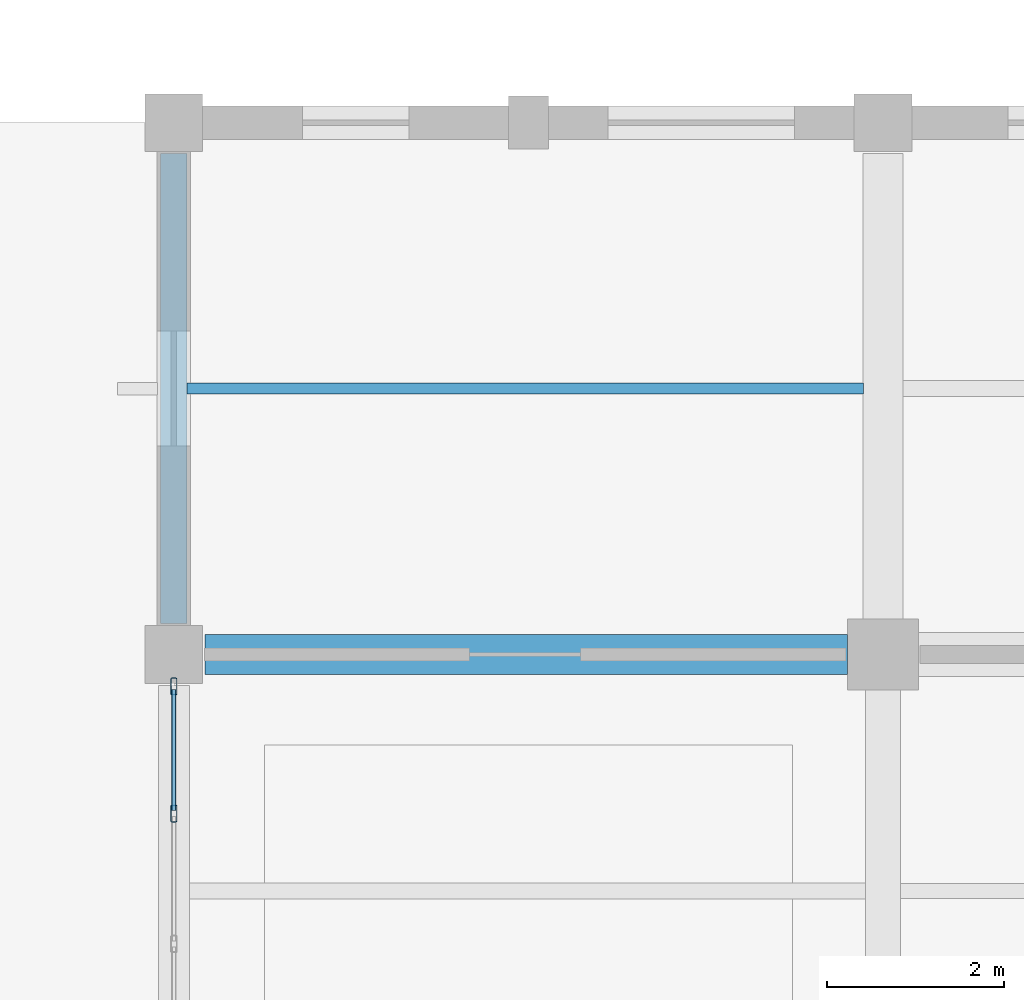
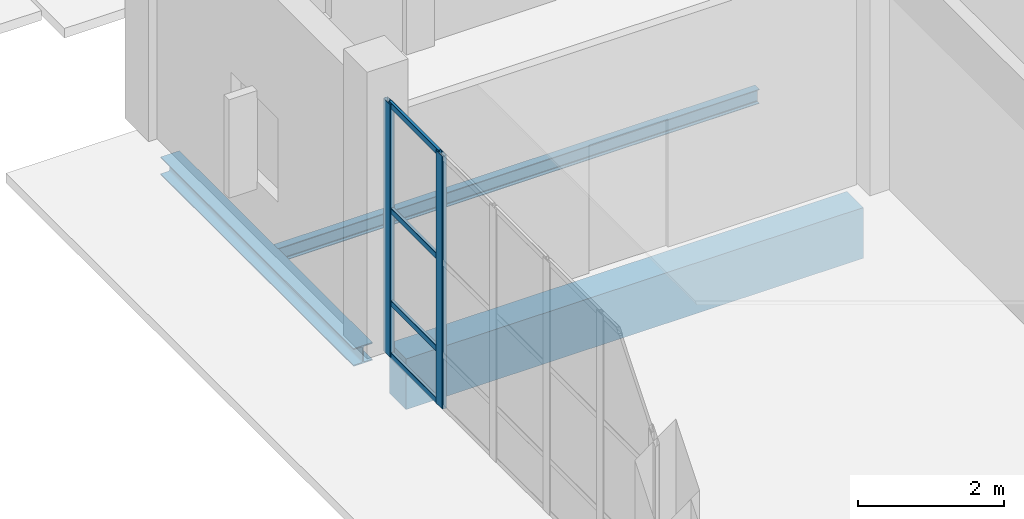
# One storey, part 87 of 156: 6 members, 3 beams, 1 element without a shape of its own.
"""IFC4 building model written with IfcOpenShell, lengths in metres."""

from ifc_helpers import new_model, si_unit, direction, frame, origin, origin_2d, place, context, subcontext, project, spatial, rectangle, hollow_rectangle, i_section, extrude, material, material_profile, profile_set, type_object, element, aggregate, save


model = new_model("IFC4")

# Units and contexts
model_context = context("Model", 3, precision=1e-05, world=origin(), true_north=direction((0.0, 1.0)))
body_context = subcontext(model_context, "Body", "Model", "MODEL_VIEW")
ifc_project = project(units=[si_unit("LENGTHUNIT", "METRE"), si_unit("AREAUNIT", "SQUARE_METRE"), si_unit("VOLUMEUNIT", "CUBIC_METRE"), si_unit("PLANEANGLEUNIT", "RADIAN"), si_unit("MASSUNIT", "GRAM", prefix="KILO")], contexts=[model_context])

# Site, building, storey
site_placement = place(None, origin())
site = spatial("IfcSite", under=ifc_project, at=site_placement, CompositionType="ELEMENT")
building_placement = place(site_placement, origin())
building = spatial("IfcBuilding", under=site, at=building_placement, Name="Luwemba Playhouse", CompositionType="ELEMENT")
storey_placement = place(building_placement, origin())
storey = spatial("IfcBuildingStorey", under=building, at=storey_placement, Name="L00", CompositionType="ELEMENT", Elevation=0.0)

# Beams
ifc_material_1 = material(Name="Concrete C40/50", Category="concrete")
ifc_material_profile_1 = material_profile(ifc_material_1, rectangle(XDim=0.449951171875, YDim=0.85009765625, at=origin_2d()))
ifc_profile_set_1 = profile_set([ifc_material_profile_1], Name="Concrete C40/50")
beam_type_1 = type_object("IfcBeamType", Name="BM-RB05", PredefinedType="BEAM", material=ifc_profile_set_1)
beam_1_placement = place(storey_placement, frame((132.35009765625, 84.0, -0.72509765625), z_axis=(1.0, 0.0, 0.0), x_axis=(0.0, 1.0, 0.0)))
element("IfcBeam", 1, at=beam_1_placement, inside=storey, type_object=beam_type_1, Name="L00 grid girder 0122", PredefinedType="BEAM", context=body_context, shape_type="SweptSolid", body=[
    extrude(rectangle(XDim=0.449951171875, YDim=0.85009765625, at=origin_2d()), origin(), (0.0, 0.0, 1.0), 7.25),
])
ifc_material_2 = material(Name="Steel S355", Category="steel")
ifc_material_profile_2 = material_profile(ifc_material_2, i_section(OverallWidth=0.1201171875, OverallDepth=0.239990234375, WebThickness=0.006103515625, FlangeThickness=0.009765625, FilletRadius=0.014892578125, at=origin_2d()))
ifc_profile_set_2 = profile_set([ifc_material_profile_2], Name="Steel S355")
beam_type_2 = type_object("IfcBeamType", Name="BM-SJ03", PredefinedType="JOIST", material=ifc_profile_set_2)
beam_2_placement = place(storey_placement, frame((132.14599609375, 87.0, -0.419921875), z_axis=(1.0, 0.0, 0.0), x_axis=(0.0, 1.0, 0.0)))
element("IfcBeam", 2, at=beam_2_placement, inside=storey, type_object=beam_type_2, Name="L00 composite floor joist 0101", PredefinedType="JOIST", context=body_context, shape_type="SweptSolid", body=[
    extrude(i_section(OverallWidth=0.1201171875, OverallDepth=0.239990234375, WebThickness=0.006103515625, FlangeThickness=0.009765625, FilletRadius=0.014892578125, at=origin_2d()), origin(), (0.0, 0.0, 1.0), 7.633056640625),
])
ifc_material_profile_3 = material_profile(ifc_material_2, i_section(OverallWidth=0.300048828125, OverallDepth=0.300048828125, WebThickness=0.010986328125, FlangeThickness=0.01904296875, FilletRadius=0.027099609375, at=origin_2d()))
ifc_profile_set_3 = profile_set([ifc_material_profile_3], Name="Steel S355")
beam_type_3 = type_object("IfcBeamType", Name="BM-SSP1", PredefinedType="SPANDREL", material=ifc_profile_set_3)
beam_3_placement = place(storey_placement, frame((132.0, 84.35009765625, -0.449951171875), z_axis=(0.0, 1.0, 0.0), x_axis=(-1.0, 0.0, 0.0)))
element("IfcBeam", 3, at=beam_3_placement, inside=storey, type_object=beam_type_3, Name="L00 transverse girder 0134", PredefinedType="SPANDREL", context=body_context, shape_type="SweptSolid", body=[
    extrude(i_section(OverallWidth=0.300048828125, OverallDepth=0.300048828125, WebThickness=0.010986328125, FlangeThickness=0.01904296875, FilletRadius=0.027099609375, at=origin_2d()), origin(), (0.0, 0.0, 1.0), 5.2998046875),
])

# Curtain wall, members
ifc_material_3 = material(Name="Solar-control double glazing", Category="glass")
curtain_wall_type = type_object("IfcCurtainWallType", Name="CW-CW18", PredefinedType="USERDEFINED", material=ifc_material_3)
curtain_wall_placement = place(storey_placement, origin())
curtain_wall = element("IfcCurtainWall", 4, at=curtain_wall_placement, inside=storey, type_object=curtain_wall_type, Name="L00 V4 unitised curtain wall 018", ObjectType="UNITISED GLAZING", PredefinedType="USERDEFINED")
ifc_material_4 = material(Name="Aluminium 6063-T6", Category="aluminium")
ifc_material_profile_4 = material_profile(ifc_material_4, hollow_rectangle(XDim=0.070068359375, YDim=0.18994140625, WallThickness=0.0048828125, InnerFilletRadius=0.007568359375, OuterFilletRadius=0.012451171875, at=origin_2d()))
ifc_profile_set_4 = profile_set([ifc_material_profile_4], Name="Aluminium 6063-T6")
member_type_1 = type_object("IfcMemberType", Name="CWM-M4", PredefinedType="MULLION", material=ifc_profile_set_4)
member_1_placement = place(storey_placement, frame((132.0, 82.205078125, 0.0), z_axis=(0.0, 0.0, 1.0), x_axis=(-1.0, 0.0, 0.0)))
member_1 = element("IfcMember", 5, at=member_1_placement, type_object=member_type_1, Name="CW18 mullion 5", PredefinedType="MULLION", context=body_context, shape_type="SweptSolid", body=[
    extrude(hollow_rectangle(XDim=0.070068359375, YDim=0.18994140625, WallThickness=0.0048828125, InnerFilletRadius=0.007568359375, OuterFilletRadius=0.012451171875, at=origin_2d()), origin(), (0.0, 0.0, 1.0), 4.235107421875),
])
member_2_placement = place(storey_placement, frame((132.0, 83.639892578125, 0.0), z_axis=(0.0, 0.0, 1.0), x_axis=(-1.0, 0.0, 0.0)))
member_2 = element("IfcMember", 6, at=member_2_placement, type_object=member_type_1, Name="CW18 mullion 6", PredefinedType="MULLION", context=body_context, shape_type="SweptSolid", body=[
    extrude(hollow_rectangle(XDim=0.070068359375, YDim=0.18994140625, WallThickness=0.0048828125, InnerFilletRadius=0.007568359375, OuterFilletRadius=0.012451171875, at=origin_2d()), origin(), (0.0, 0.0, 1.0), 4.235107421875),
])
ifc_material_profile_5 = material_profile(ifc_material_4, hollow_rectangle(XDim=0.050048828125, YDim=0.10009765625, WallThickness=0.00341796875, InnerFilletRadius=0.00537109375, OuterFilletRadius=0.0087890625, at=origin_2d()))
ifc_profile_set_5 = profile_set([ifc_material_profile_5], Name="Aluminium 6063-T6")
member_type_2 = type_object("IfcMemberType", Name="CWT-T4", PredefinedType="USERDEFINED", material=ifc_profile_set_5)
member_3_placement = place(storey_placement, frame((132.0, 82.239990234375, 0.02490234375), z_axis=(0.0, 1.0, 0.0), x_axis=(-1.0, 0.0, 0.0)))
member_3 = element("IfcMember", 7, at=member_3_placement, type_object=member_type_2, Name="CW18 transom 5.1", ObjectType="TRANSOM", PredefinedType="USERDEFINED", context=body_context, shape_type="SweptSolid", body=[
    extrude(hollow_rectangle(XDim=0.050048828125, YDim=0.10009765625, WallThickness=0.00341796875, InnerFilletRadius=0.00537109375, OuterFilletRadius=0.0087890625, at=origin_2d()), origin(), (0.0, 0.0, 1.0), 1.364990234375),
])
member_4_placement = place(storey_placement, frame((132.0, 82.239990234375, 0.89990234375), z_axis=(0.0, 1.0, 0.0), x_axis=(-1.0, 0.0, 0.0)))
member_4 = element("IfcMember", 8, at=member_4_placement, type_object=member_type_2, Name="CW18 transom 5.2", ObjectType="TRANSOM", PredefinedType="USERDEFINED", context=body_context, shape_type="SweptSolid", body=[
    extrude(hollow_rectangle(XDim=0.050048828125, YDim=0.10009765625, WallThickness=0.00341796875, InnerFilletRadius=0.00537109375, OuterFilletRadius=0.0087890625, at=origin_2d()), origin(), (0.0, 0.0, 1.0), 1.364990234375),
])
member_5_placement = place(storey_placement, frame((132.0, 82.239990234375, 2.449951171875), z_axis=(0.0, 1.0, 0.0), x_axis=(-1.0, 0.0, 0.0)))
member_5 = element("IfcMember", 9, at=member_5_placement, type_object=member_type_2, Name="CW18 transom 5.3", ObjectType="TRANSOM", PredefinedType="USERDEFINED", context=body_context, shape_type="SweptSolid", body=[
    extrude(hollow_rectangle(XDim=0.050048828125, YDim=0.10009765625, WallThickness=0.00341796875, InnerFilletRadius=0.00537109375, OuterFilletRadius=0.0087890625, at=origin_2d()), origin(), (0.0, 0.0, 1.0), 1.364990234375),
])
member_6_placement = place(storey_placement, frame((132.0, 82.239990234375, 4.2099609375), z_axis=(0.0, 1.0, 0.0), x_axis=(-1.0, 0.0, 0.0)))
member_6 = element("IfcMember", 10, at=member_6_placement, type_object=member_type_2, Name="CW18 transom 5.4", ObjectType="TRANSOM", PredefinedType="USERDEFINED", context=body_context, shape_type="SweptSolid", body=[
    extrude(hollow_rectangle(XDim=0.050048828125, YDim=0.10009765625, WallThickness=0.00341796875, InnerFilletRadius=0.00537109375, OuterFilletRadius=0.0087890625, at=origin_2d()), origin(), (0.0, 0.0, 1.0), 1.364990234375),
])
aggregate(curtain_wall, [member_1, member_2, member_3, member_4, member_5, member_6])

save(model, "model.ifc")
